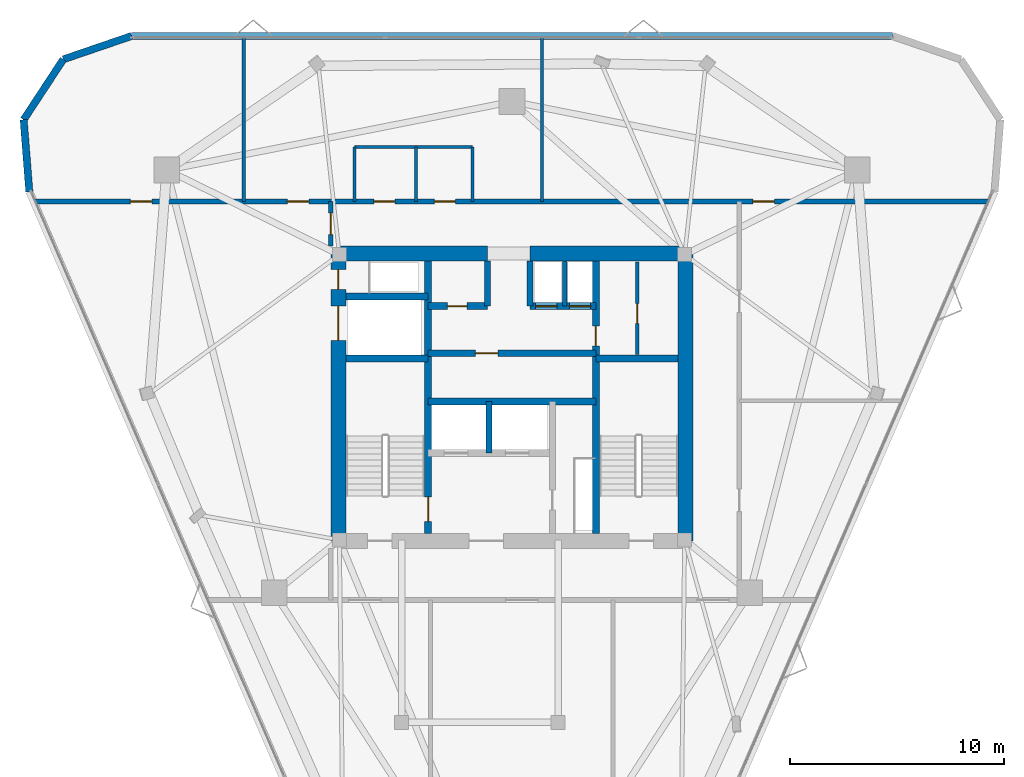
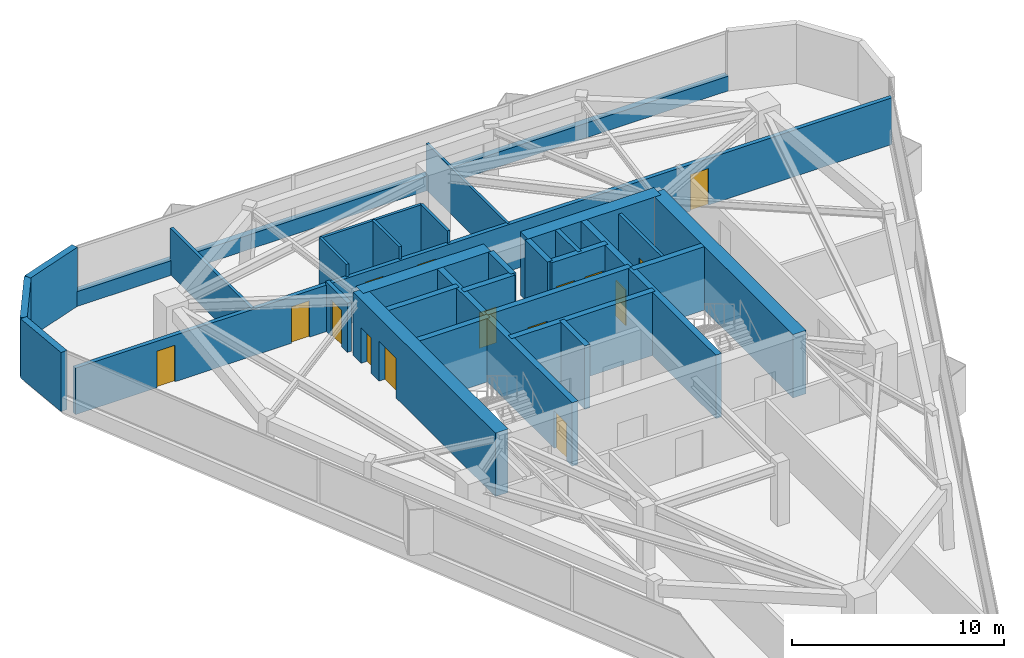
# One storey, part 9 of 11: 30 walls, 15 doors, 15 openings.
"""IFC4 building model written with IfcOpenShell, lengths in metres."""

from ifc_helpers import new_model, si_unit, direction, frame, frame_2d, origin, place, context, subcontext, project, spatial, rectangle, extrude, material, layer, layer_set, type_object, element, fill, save


model = new_model("IFC4")

# Units and contexts
model_context = context("Model", 3, precision=1e-05, world=origin(), true_north=direction((0.0, 1.0)))
body_context = subcontext(model_context, "Body", "Model", "MODEL_VIEW")
ifc_project = project(units=[si_unit("LENGTHUNIT", "METRE"), si_unit("AREAUNIT", "SQUARE_METRE"), si_unit("VOLUMEUNIT", "CUBIC_METRE"), si_unit("PLANEANGLEUNIT", "RADIAN"), si_unit("MASSUNIT", "GRAM", prefix="KILO")], contexts=[model_context])

# Site, building, storey
site_placement = place(None, origin())
site = spatial("IfcSite", under=ifc_project, at=site_placement, CompositionType="ELEMENT")
building_placement = place(site_placement, origin())
building = spatial("IfcBuilding", under=site, at=building_placement, Name="Talyreon Biosciences Tower", CompositionType="ELEMENT")
storey_placement = place(building_placement, frame((0.0, 0.0, 264.449951171875)))
storey = spatial("IfcBuildingStorey", under=building, at=storey_placement, Name="L70", CompositionType="ELEMENT", Elevation=264.449951171875)

# Walls
ifc_material_1 = material(Name="Concrete C50/60", Category="concrete")
ifc_layer_1 = layer(ifc_material_1, 0.219970703125)
ifc_layer_set_1 = layer_set([ifc_layer_1], Name="Concrete C50/60")
wall_type_1 = type_object("IfcWallType", Name="CoreShearWall_220", PredefinedType="SHEAR", material=ifc_layer_set_1)
wall_1_placement = place(storey_placement, frame((68.4599609375, 72.25, 0.0), z_axis=(0.0, 0.0, 1.0), x_axis=(0.0, 1.0, 0.0)))
element("IfcWall", 1, at=wall_1_placement, inside=storey, type_object=wall_type_1, Name="L70 Core Shaft Wall SWPHD", PredefinedType="SHEAR", context=body_context, shape_type="SweptSolid", body=[
    extrude(rectangle(XDim=2.10009765625, YDim=0.219970703125, at=frame_2d((1.050048828125, 0.0))), origin(), (0.0, 0.0, 1.0), 3.650146484375),
])
ifc_layer_2 = layer(ifc_material_1, 0.280029296875)
ifc_layer_set_2 = layer_set([ifc_layer_2], Name="Concrete C50/60")
wall_type_2 = type_object("IfcWallType", Name="CoreShearWall_280", PredefinedType="SHEAR", material=ifc_layer_set_2)
wall_2_placement = place(storey_placement, frame((64.919921875, 65.39990234375, 0.0), z_axis=(0.0, 0.0, 1.0), x_axis=(0.0, 1.0, 0.0)))
element("IfcWall", 2, at=wall_2_placement, inside=storey, type_object=wall_type_2, Name="L70 Core Shaft Wall SWSHD1", PredefinedType="SHEAR", context=body_context, shape_type="SweptSolid", body=[
    extrude(rectangle(XDim=2.400146484375, YDim=0.280029296875, at=frame_2d((1.2001953125, 0.0))), origin(), (0.0, 0.0, 1.0), 3.650146484375),
])
for number, where, z_axis, x_axis, name in (
    (3, (64.85009765625, 72.25, 0.0), (0.0, 0.0, 1.0), (0.0, 1.0, 0.0), "L70 Core Shaft Wall SWTHW"),
    (4, (66.85009765625, 72.25, 0.0), (0.0, 0.0, 1.0), (0.0, 1.0, 0.0), "L70 Core Shaft Wall SWTHE"),
):
    element("IfcWall", number, at=place(storey_placement, frame(where, z_axis=z_axis, x_axis=x_axis)), inside=storey, type_object=wall_type_2, Name=name, PredefinedType="SHEAR", context=body_context, shape_type="SweptSolid", body=[
        extrude(rectangle(XDim=2.10009765625, YDim=0.280029296875, at=frame_2d((1.050048828125, 0.0))), origin(), (0.0, 0.0, 1.0), 3.650146484375),
    ])

# Wall, opening, door
ifc_layer_3 = layer(ifc_material_1, 0.320068359375)
ifc_layer_set_3 = layer_set([ifc_layer_3], Name="Concrete C50/60")
wall_type_3 = type_object("IfcWallType", Name="CoreShearWall_320", PredefinedType="SHEAR", material=ifc_layer_set_3)
wall_3_placement = place(storey_placement, frame((62.090087890625, 61.64990234375, 0.0), z_axis=(0.0, 0.0, 1.0), x_axis=(0.0, 1.0, 0.0)))
wall_3 = element("IfcWall", 5, at=wall_3_placement, inside=storey, type_object=wall_type_3, Name="L70 Core Shaft Wall SW1E", PredefinedType="SHEAR", context=body_context, shape_type="SweptSolid", body=[
    extrude(rectangle(XDim=12.7001953125, YDim=0.320068359375, at=frame_2d((6.35009765625, 0.0))), origin(), (0.0, 0.0, 1.0), 3.650146484375),
])
opening_1_placement = place(wall_3_placement, frame((0.550048828125, 0.0, 0.0)))
opening_1 = element("IfcOpeningElement", 6, at=opening_1_placement, cuts=wall_3, Name="Opening DR-L70-FF-ST1", PredefinedType="OPENING", context=body_context, shape_type="SweptSolid", body=[
    extrude(rectangle(XDim=1.14990234375, YDim=2.14990234375, at=frame_2d((0.574951171875, 1.074951171875))), frame((0.0, 0.169921875, 0.0), z_axis=(0.0, -1.0, 0.0), x_axis=(1.0, 0.0, 0.0)), (0.0, 0.0, 1.0), 0.340087890625),
])
ifc_material_2 = material(Name="Painted steel fire door", Category="steel")
door_type_1 = type_object("IfcDoorType", Name="StairShaftFireDoor_1150x2150", OperationType="NOTDEFINED", PredefinedType="DOOR", material=ifc_material_2)
door_1_placement = place(opening_1_placement, origin())
door_1 = element("IfcDoor", 7, at=door_1_placement, inside=storey, type_object=door_type_1, Name="L70 Core Door DR-L70-FF-ST1", OperationType="SINGLE_SWING_LEFT", OverallHeight=2.14990234375, OverallWidth=1.14990234375, PredefinedType="DOOR", context=body_context, shape_type="SweptSolid", body=[
    extrude(rectangle(XDim=1.14990234375, YDim=2.14990234375, at=frame_2d((0.574951171875, 1.074951171875))), frame((0.0, 0.02490234375, 0.0), z_axis=(0.0, -1.0, 0.0), x_axis=(1.0, 0.0, 0.0)), (0.0, 0.0, 1.0), 0.050048828125),
])
fill(opening_1, door_1)

wall_4_placement = place(storey_placement, frame((69.909912109375, 61.64990234375, 0.0), z_axis=(0.0, 0.0, 1.0), x_axis=(0.0, 1.0, 0.0)))
wall_4 = element("IfcWall", 8, at=wall_4_placement, inside=storey, type_object=wall_type_3, Name="L70 Core Shaft Wall SW2W", PredefinedType="SHEAR", context=body_context, shape_type="SweptSolid", body=[
    extrude(rectangle(XDim=12.7001953125, YDim=0.320068359375, at=frame_2d((6.35009765625, 0.0))), origin(), (0.0, 0.0, 1.0), 3.650146484375),
])
opening_2_placement = place(wall_4_placement, frame((8.75, 0.0, 0.0)))
opening_2 = element("IfcOpeningElement", 9, at=opening_2_placement, cuts=wall_4, Name="Opening DR-L70-CSRV", PredefinedType="OPENING", context=body_context, shape_type="SweptSolid", body=[
    extrude(rectangle(XDim=0.919921875, YDim=2.050048828125, at=frame_2d((0.4599609375, 1.02490234375))), frame((0.0, 0.169921875, 0.0), z_axis=(0.0, -1.0, 0.0), x_axis=(1.0, 0.0, 0.0)), (0.0, 0.0, 1.0), 0.340087890625),
])
ifc_material_3 = material(Name="Painted steel fire-rated riser door", Category="steel")
door_type_2 = type_object("IfcDoorType", Name="RiserPlantAccessDoor_920x2050", OperationType="NOTDEFINED", PredefinedType="DOOR", material=ifc_material_3)
door_2_placement = place(opening_2_placement, origin())
door_2 = element("IfcDoor", 10, at=door_2_placement, inside=storey, type_object=door_type_2, Name="L70 Core Door DR-L70-CSRV", OperationType="SINGLE_SWING_RIGHT", OverallHeight=2.050048828125, OverallWidth=0.919921875, PredefinedType="DOOR", context=body_context, shape_type="SweptSolid", body=[
    extrude(rectangle(XDim=0.919921875, YDim=2.050048828125, at=frame_2d((0.4599609375, 1.02490234375))), frame((0.0, 0.02490234375, 0.0), z_axis=(0.0, -1.0, 0.0), x_axis=(1.0, 0.0, 0.0)), (0.0, 0.0, 1.0), 0.050048828125),
])
fill(opening_2, door_2)

# Walls
for number, where, z_axis, x_axis, name in (
    (11, (58.25, 69.81005859375, 0.0), (0.0, 0.0, 1.0), (1.0, 0.0, 0.0), "L70 Core Shaft Wall SW1N"),
    (12, (69.909912109375, 69.81005859375, 0.0), (0.0, 0.0, 1.0), (1.0, 0.0, 0.0), "L70 Core Shaft Wall SW2N"),
    (13, (58.25, 72.699951171875, 0.0), (0.0, 0.0, 1.0), (1.0, 0.0, 0.0), "L70 Core Shaft Wall SWGLN"),
):
    element("IfcWall", number, at=place(storey_placement, frame(where, z_axis=z_axis, x_axis=x_axis)), inside=storey, type_object=wall_type_3, Name=name, PredefinedType="SHEAR", context=body_context, shape_type="SweptSolid", body=[
        extrude(rectangle(XDim=3.840087890625, YDim=0.320068359375, at=frame_2d((1.919921875, 0.0))), origin(), (0.0, 0.0, 1.0), 3.650146484375),
    ])
wall_5_placement = place(storey_placement, frame((62.090087890625, 67.800048828125, 0.0), z_axis=(0.0, 0.0, 1.0), x_axis=(1.0, 0.0, 0.0)))
element("IfcWall", 14, at=wall_5_placement, inside=storey, type_object=wall_type_3, Name="L70 Core Shaft Wall SWSHM", PredefinedType="SHEAR", context=body_context, shape_type="SweptSolid", body=[
    extrude(rectangle(XDim=7.81982421875, YDim=0.320068359375, at=frame_2d((3.909912109375, 0.0))), origin(), (0.0, 0.0, 1.0), 3.650146484375),
])

# Wall, opening, door
wall_6_placement = place(storey_placement, frame((62.090087890625, 70.050048828125, 0.0), z_axis=(0.0, 0.0, 1.0), x_axis=(1.0, 0.0, 0.0)))
wall_6 = element("IfcWall", 15, at=wall_6_placement, inside=storey, type_object=wall_type_3, Name="L70 Core Shaft Wall SWSPN", PredefinedType="SHEAR", context=body_context, shape_type="SweptSolid", body=[
    extrude(rectangle(XDim=7.81982421875, YDim=0.320068359375, at=frame_2d((3.909912109375, 0.0))), origin(), (0.0, 0.0, 1.0), 3.650146484375),
])
opening_3_placement = place(wall_6_placement, frame((2.199951171875, 0.0, 0.0)))
opening_3 = element("IfcOpeningElement", 16, at=opening_3_placement, cuts=wall_6, Name="Opening DR-L70-PLPMFREE", PredefinedType="OPENING", context=body_context, shape_type="SweptSolid", body=[
    extrude(rectangle(XDim=1.050048828125, YDim=2.14990234375, at=frame_2d((0.52490234375, 1.074951171875))), frame((0.0, 0.169921875, 0.0), z_axis=(0.0, -1.0, 0.0), x_axis=(1.0, 0.0, 0.0)), (0.0, 0.0, 1.0), 0.340087890625),
])
ifc_material_4 = material(Name="Acoustic timber-core laboratory door", Category="wood")
door_type_3 = type_object("IfcDoorType", Name="DryLabSingleDoor_1050x2150", OperationType="NOTDEFINED", PredefinedType="DOOR", material=ifc_material_4)
door_3_placement = place(opening_3_placement, origin())
door_3 = element("IfcDoor", 17, at=door_3_placement, inside=storey, type_object=door_type_3, Name="L70 Core Door DR-L70-PLPMFREE", OperationType="SINGLE_SWING_LEFT", OverallHeight=2.14990234375, OverallWidth=1.050048828125, PredefinedType="DOOR", context=body_context, shape_type="SweptSolid", body=[
    extrude(rectangle(XDim=1.050048828125, YDim=2.14990234375, at=frame_2d((0.52490234375, 1.074951171875))), frame((0.0, 0.02490234375, 0.0), z_axis=(0.0, -1.0, 0.0), x_axis=(1.0, 0.0, 0.0)), (0.0, 0.0, 1.0), 0.050048828125),
])
fill(opening_3, door_3)

wall_7_placement = place(storey_placement, frame((62.090087890625, 72.25, 0.0), z_axis=(0.0, 0.0, 1.0), x_axis=(1.0, 0.0, 0.0)))
wall_7 = element("IfcWall", 18, at=wall_7_placement, inside=storey, type_object=wall_type_3, Name="L70 Core Shaft Wall SWNPW", PredefinedType="SHEAR", context=body_context, shape_type="SweptSolid", body=[
    extrude(rectangle(XDim=2.760009765625, YDim=0.320068359375, at=frame_2d((1.3798828125, 0.0))), origin(), (0.0, 0.0, 1.0), 3.650146484375),
])
opening_4_placement = place(wall_7_placement, frame((0.89990234375, 0.0, 0.0)))
opening_4 = element("IfcOpeningElement", 19, at=opening_4_placement, cuts=wall_7, Name="Opening DR-L70-PM2FREE", PredefinedType="OPENING", context=body_context, shape_type="SweptSolid", body=[
    extrude(rectangle(XDim=0.919921875, YDim=2.050048828125, at=frame_2d((0.4599609375, 1.02490234375))), frame((0.0, 0.169921875, 0.0), z_axis=(0.0, -1.0, 0.0), x_axis=(1.0, 0.0, 0.0)), (0.0, 0.0, 1.0), 0.340087890625),
])
door_4_placement = place(opening_4_placement, origin())
door_4 = element("IfcDoor", 20, at=door_4_placement, inside=storey, type_object=door_type_2, Name="L70 Core Door DR-L70-PM2FREE", OperationType="SINGLE_SWING_RIGHT", OverallHeight=2.050048828125, OverallWidth=0.919921875, PredefinedType="DOOR", context=body_context, shape_type="SweptSolid", body=[
    extrude(rectangle(XDim=0.919921875, YDim=2.050048828125, at=frame_2d((0.4599609375, 1.02490234375))), frame((0.0, 0.02490234375, 0.0), z_axis=(0.0, -1.0, 0.0), x_axis=(1.0, 0.0, 0.0)), (0.0, 0.0, 1.0), 0.050048828125),
])
fill(opening_4, door_4)

# Wall, openings, doors
wall_8_placement = place(storey_placement, frame((66.85009765625, 72.25, 0.0), z_axis=(0.0, 0.0, 1.0), x_axis=(1.0, 0.0, 0.0)))
wall_8 = element("IfcWall", 21, at=wall_8_placement, inside=storey, type_object=wall_type_3, Name="L70 Core Shaft Wall SWNPE", PredefinedType="SHEAR", context=body_context, shape_type="SweptSolid", body=[
    extrude(rectangle(XDim=3.059814453125, YDim=0.320068359375, at=frame_2d((1.52978515625, 0.0))), origin(), (0.0, 0.0, 1.0), 3.650146484375),
])
opening_5_placement = place(wall_8_placement, frame((0.25, 0.0, 0.0)))
opening_5 = element("IfcOpeningElement", 22, at=opening_5_placement, cuts=wall_8, Name="Opening LD-L70-PH1", PredefinedType="OPENING", context=body_context, shape_type="SweptSolid", body=[
    extrude(rectangle(XDim=1.0, YDim=2.199951171875, at=frame_2d((0.5, 1.10009765625))), frame((0.0, 0.169921875, 0.0), z_axis=(0.0, -1.0, 0.0), x_axis=(1.0, 0.0, 0.0)), (0.0, 0.0, 1.0), 0.340087890625),
])
opening_6_placement = place(wall_8_placement, frame((1.820068359375, 0.0, 0.0)))
opening_6 = element("IfcOpeningElement", 23, at=opening_6_placement, cuts=wall_8, Name="Opening LD-L70-PH2", PredefinedType="OPENING", context=body_context, shape_type="SweptSolid", body=[
    extrude(rectangle(XDim=1.0, YDim=2.199951171875, at=frame_2d((0.5, 1.10009765625))), frame((0.0, 0.169921875, 0.0), z_axis=(0.0, -1.0, 0.0), x_axis=(1.0, 0.0, 0.0)), (0.0, 0.0, 1.0), 0.340087890625),
])
ifc_material_5 = material(Name="Brushed stainless-steel lift landing door", Category="steel")
door_type_4 = type_object("IfcDoorType", Name="LiftSlidingLandingDoor_1100x2200", OperationType="SLIDING_TO_LEFT", PredefinedType="DOOR", material=ifc_material_5)
door_5_placement = place(opening_5_placement, origin())
door_5 = element("IfcDoor", 24, at=door_5_placement, inside=storey, type_object=door_type_4, Name="L70 Core Door LD-L70-PH1", OperationType="SLIDING_TO_LEFT", OverallHeight=2.199951171875, OverallWidth=1.0, PredefinedType="DOOR", context=body_context, shape_type="SweptSolid", body=[
    extrude(rectangle(XDim=1.0, YDim=2.199951171875, at=frame_2d((0.5, 1.10009765625))), frame((0.0, 0.02490234375, 0.0), z_axis=(0.0, -1.0, 0.0), x_axis=(1.0, 0.0, 0.0)), (0.0, 0.0, 1.0), 0.050048828125),
])
fill(opening_5, door_5)
door_6_placement = place(opening_6_placement, origin())
door_6 = element("IfcDoor", 25, at=door_6_placement, inside=storey, type_object=door_type_4, Name="L70 Core Door LD-L70-PH2", OperationType="SLIDING_TO_LEFT", OverallHeight=2.199951171875, OverallWidth=1.0, PredefinedType="DOOR", context=body_context, shape_type="SweptSolid", body=[
    extrude(rectangle(XDim=1.0, YDim=2.199951171875, at=frame_2d((0.5, 1.10009765625))), frame((0.0, 0.02490234375, 0.0), z_axis=(0.0, -1.0, 0.0), x_axis=(1.0, 0.0, 0.0)), (0.0, 0.0, 1.0), 0.050048828125),
])
fill(opening_6, door_6)

# Walls
ifc_layer_4 = layer(ifc_material_1, 0.699951171875)
ifc_layer_set_4 = layer_set([ifc_layer_4], Name="Concrete C50/60")
wall_type_4 = type_object("IfcWallType", Name="CoreShearWall_700", PredefinedType="SHEAR", material=ifc_layer_set_4)
wall_9_placement = place(storey_placement, frame((74.10009765625, 61.300048828125, 0.0), z_axis=(0.0, 0.0, 1.0), x_axis=(0.0, 1.0, 0.0)))
element("IfcWall", 26, at=wall_9_placement, inside=storey, type_object=wall_type_4, Name="L70 Core Shear Wall E", PredefinedType="SHEAR", context=body_context, shape_type="SweptSolid", body=[
    extrude(rectangle(XDim=13.39990234375, YDim=0.699951171875, at=frame_2d((6.699951171875, 0.0))), origin(), (0.0, 0.0, 1.0), 3.650146484375),
])
wall_10_placement = place(storey_placement, frame((74.10009765625, 74.699951171875, 0.0), z_axis=(0.0, 0.0, 1.0), x_axis=(-1.0, 0.0, 0.0)))
element("IfcWall", 27, at=wall_10_placement, inside=storey, type_object=wall_type_4, Name="L70 Core Shear Wall NE", PredefinedType="SHEAR", context=body_context, shape_type="SweptSolid", body=[
    extrude(rectangle(XDim=7.25, YDim=0.699951171875, at=frame_2d((3.625, 0.0))), origin(), (0.0, 0.0, 1.0), 3.650146484375),
])
wall_11_placement = place(storey_placement, frame((64.85009765625, 74.699951171875, 0.0), z_axis=(0.0, 0.0, 1.0), x_axis=(-1.0, 0.0, 0.0)))
element("IfcWall", 28, at=wall_11_placement, inside=storey, type_object=wall_type_4, Name="L70 Core Shear Wall NW", PredefinedType="SHEAR", context=body_context, shape_type="SweptSolid", body=[
    extrude(rectangle(XDim=6.9501953125, YDim=0.699951171875, at=frame_2d((3.47509765625, 0.0))), origin(), (0.0, 0.0, 1.0), 3.650146484375),
])

# Wall, openings, doors
wall_12_placement = place(storey_placement, frame((57.89990234375, 74.699951171875, 0.0), z_axis=(0.0, 0.0, 1.0), x_axis=(0.0, -1.0, 0.0)))
wall_12 = element("IfcWall", 29, at=wall_12_placement, inside=storey, type_object=wall_type_4, Name="L70 Core Shear Wall W", PredefinedType="SHEAR", context=body_context, shape_type="SweptSolid", body=[
    extrude(rectangle(XDim=13.39990234375, YDim=0.699951171875, at=frame_2d((6.699951171875, 0.0))), origin(), (0.0, 0.0, 1.0), 3.650146484375),
])
opening_7_placement = place(wall_12_placement, frame((0.75, 0.0, 0.0)))
opening_7 = element("IfcOpeningElement", 30, at=opening_7_placement, cuts=wall_12, Name="Opening DR-L70-RSW", PredefinedType="OPENING", context=body_context, shape_type="SweptSolid", body=[
    extrude(rectangle(XDim=0.919921875, YDim=2.050048828125, at=frame_2d((0.4599609375, 1.02490234375))), frame((0.0, 0.35986328125, 0.0), z_axis=(0.0, -1.0, 0.0), x_axis=(1.0, 0.0, 0.0)), (0.0, 0.0, 1.0), 0.719970703125),
])
opening_8_placement = place(wall_12_placement, frame((2.449951171875, 0.0, 0.0)))
opening_8 = element("IfcOpeningElement", 31, at=opening_8_placement, cuts=wall_12, Name="Opening LD-L70-GL1", PredefinedType="OPENING", context=body_context, shape_type="SweptSolid", body=[
    extrude(rectangle(XDim=1.60009765625, YDim=2.300048828125, at=frame_2d((0.800048828125, 1.14990234375))), frame((0.0, 0.35986328125, 0.0), z_axis=(0.0, -1.0, 0.0), x_axis=(1.0, 0.0, 0.0)), (0.0, 0.0, 1.0), 0.719970703125),
])
ifc_material_6 = material(Name="Heavy-duty stainless-steel goods lift door", Category="steel")
door_type_5 = type_object("IfcDoorType", Name="GoodsLiftSlidingDoor_1600x2300", OperationType="DOUBLE_DOOR_SLIDING", PredefinedType="DOOR", material=ifc_material_6)
door_7_placement = place(opening_8_placement, origin())
door_7 = element("IfcDoor", 32, at=door_7_placement, inside=storey, type_object=door_type_5, Name="L70 Core Door LD-L70-GL1", OperationType="DOUBLE_DOOR_SLIDING", OverallHeight=2.300048828125, OverallWidth=1.60009765625, PredefinedType="DOOR", context=body_context, shape_type="SweptSolid", body=[
    extrude(rectangle(XDim=1.60009765625, YDim=2.300048828125, at=frame_2d((0.800048828125, 1.14990234375))), frame((0.0, 0.02490234375, 0.0), z_axis=(0.0, -1.0, 0.0), x_axis=(1.0, 0.0, 0.0)), (0.0, 0.0, 1.0), 0.050048828125),
])
fill(opening_8, door_7)
door_8_placement = place(opening_7_placement, origin())
door_8 = element("IfcDoor", 33, at=door_8_placement, inside=storey, type_object=door_type_2, Name="L70 Core Door DR-L70-RSW", OperationType="SINGLE_SWING_LEFT", OverallHeight=2.050048828125, OverallWidth=0.919921875, PredefinedType="DOOR", context=body_context, shape_type="SweptSolid", body=[
    extrude(rectangle(XDim=0.919921875, YDim=2.050048828125, at=frame_2d((0.4599609375, 1.02490234375))), frame((0.0, 0.02490234375, 0.0), z_axis=(0.0, -1.0, 0.0), x_axis=(1.0, 0.0, 0.0)), (0.0, 0.0, 1.0), 0.050048828125),
])
fill(opening_7, door_8)

ifc_material_7 = material(Name="Gypsum fireboard acoustic stud", Category="gypsum")
ifc_layer_5 = layer(ifc_material_7, 0.219970703125)
ifc_layer_set_5 = layer_set([ifc_layer_5], Name="Gypsum fireboard acoustic stud")
wall_type_5 = type_object("IfcWallType", Name="CorridorRatedPartition_220", PredefinedType="PARTITIONING", material=ifc_layer_set_5)
wall_13_placement = place(storey_placement, frame((43.779052734375, 77.1298828125, 0.0), z_axis=(0.0, 0.0, 1.0), x_axis=(1.0, 0.0, 0.0)))
wall_13 = element("IfcWall", 34, at=wall_13_placement, inside=storey, type_object=wall_type_5, Name="L70 Interior Wall IW-L70-COR-N", PredefinedType="PARTITIONING", context=body_context, shape_type="SweptSolid", body=[
    extrude(rectangle(XDim=44.44189453125, YDim=0.219970703125, at=frame_2d((22.220947265625, 0.0))), origin(), (0.0, 0.0, 1.0), 2.679931640625),
])
opening_9_placement = place(wall_13_placement, frame((15.781005859375, 0.0, 0.0)))
opening_9 = element("IfcOpeningElement", 35, at=opening_9_placement, cuts=wall_13, Name="Opening DR-L70-WC", PredefinedType="OPENING", context=body_context, shape_type="SweptSolid", body=[
    extrude(rectangle(XDim=0.97998046875, YDim=2.10009765625, at=frame_2d((0.489990234375, 1.050048828125))), frame((0.0, 0.119873046875, 0.0), z_axis=(0.0, -1.0, 0.0), x_axis=(1.0, 0.0, 0.0)), (0.0, 0.0, 1.0), 0.239990234375),
])
opening_10_placement = place(wall_13_placement, frame((18.60595703125, 0.0, 0.0)))
opening_10 = element("IfcOpeningElement", 36, at=opening_10_placement, cuts=wall_13, Name="Opening DR-L70-AWC", PredefinedType="OPENING", context=body_context, shape_type="SweptSolid", body=[
    extrude(rectangle(XDim=0.97998046875, YDim=2.10009765625, at=frame_2d((0.489990234375, 1.050048828125))), frame((0.0, 0.119873046875, 0.0), z_axis=(0.0, -1.0, 0.0), x_axis=(1.0, 0.0, 0.0)), (0.0, 0.0, 1.0), 0.239990234375),
])
opening_11_placement = place(wall_13_placement, frame((4.427001953125, 0.0, 0.0)))
opening_11 = element("IfcOpeningElement", 37, at=opening_11_placement, cuts=wall_13, Name="Opening DR-L70-N1A", PredefinedType="OPENING", context=body_context, shape_type="SweptSolid", body=[
    extrude(rectangle(XDim=1.0, YDim=2.10009765625, at=frame_2d((0.5, 1.050048828125))), frame((0.0, 0.119873046875, 0.0), z_axis=(0.0, -1.0, 0.0), x_axis=(1.0, 0.0, 0.0)), (0.0, 0.0, 1.0), 0.239990234375),
])
opening_12_placement = place(wall_13_placement, frame((11.748046875, 0.0, 0.0)))
opening_12 = element("IfcOpeningElement", 38, at=opening_12_placement, cuts=wall_13, Name="Opening DR-L70-N2A", PredefinedType="OPENING", context=body_context, shape_type="SweptSolid", body=[
    extrude(rectangle(XDim=1.0, YDim=2.10009765625, at=frame_2d((0.5, 1.050048828125))), frame((0.0, 0.119873046875, 0.0), z_axis=(0.0, -1.0, 0.0), x_axis=(1.0, 0.0, 0.0)), (0.0, 0.0, 1.0), 0.239990234375),
])
opening_13_placement = place(wall_13_placement, frame((33.4560546875, 0.0, 0.0)))
opening_13 = element("IfcOpeningElement", 39, at=opening_13_placement, cuts=wall_13, Name="Opening DR-L70-N3A", PredefinedType="OPENING", context=body_context, shape_type="SweptSolid", body=[
    extrude(rectangle(XDim=1.0, YDim=2.10009765625, at=frame_2d((0.5, 1.050048828125))), frame((0.0, 0.119873046875, 0.0), z_axis=(0.0, -1.0, 0.0), x_axis=(1.0, 0.0, 0.0)), (0.0, 0.0, 1.0), 0.239990234375),
])
ifc_material_8 = material(Name="Laminate moisture-resistant door", Category="wood")
door_type_6 = type_object("IfcDoorType", Name="AccessibleToiletDoor_980x2100", OperationType="NOTDEFINED", PredefinedType="DOOR", material=ifc_material_8)
door_9_placement = place(opening_9_placement, origin())
door_9 = element("IfcDoor", 40, at=door_9_placement, inside=storey, type_object=door_type_6, Name="L70 Interior Door DR-L70-WC", OperationType="SINGLE_SWING_RIGHT", OverallHeight=2.10009765625, OverallWidth=0.97998046875, PredefinedType="DOOR", context=body_context, shape_type="SweptSolid", body=[
    extrude(rectangle(XDim=0.97998046875, YDim=2.10009765625, at=frame_2d((0.489990234375, 1.050048828125))), frame((0.0, 0.02490234375, 0.0), z_axis=(0.0, -1.0, 0.0), x_axis=(1.0, 0.0, 0.0)), (0.0, 0.0, 1.0), 0.050048828125),
])
fill(opening_9, door_9)
door_10_placement = place(opening_10_placement, origin())
door_10 = element("IfcDoor", 41, at=door_10_placement, inside=storey, type_object=door_type_6, Name="L70 Interior Door DR-L70-AWC", OperationType="SINGLE_SWING_RIGHT", OverallHeight=2.10009765625, OverallWidth=0.97998046875, PredefinedType="DOOR", context=body_context, shape_type="SweptSolid", body=[
    extrude(rectangle(XDim=0.97998046875, YDim=2.10009765625, at=frame_2d((0.489990234375, 1.050048828125))), frame((0.0, 0.02490234375, 0.0), z_axis=(0.0, -1.0, 0.0), x_axis=(1.0, 0.0, 0.0)), (0.0, 0.0, 1.0), 0.050048828125),
])
fill(opening_10, door_10)
ifc_material_9 = material(Name="Acoustic oak veneer office door", Category="wood")
door_type_7 = type_object("IfcDoorType", Name="WriteupOfficeDoor_1000x2100", OperationType="NOTDEFINED", PredefinedType="DOOR", material=ifc_material_9)
door_11_placement = place(opening_11_placement, origin())
door_11 = element("IfcDoor", 42, at=door_11_placement, inside=storey, type_object=door_type_7, Name="L70 Interior Door DR-L70-N1A", OperationType="SINGLE_SWING_RIGHT", OverallHeight=2.10009765625, OverallWidth=1.0, PredefinedType="DOOR", context=body_context, shape_type="SweptSolid", body=[
    extrude(rectangle(XDim=1.0, YDim=2.10009765625, at=frame_2d((0.5, 1.050048828125))), frame((0.0, 0.02490234375, 0.0), z_axis=(0.0, -1.0, 0.0), x_axis=(1.0, 0.0, 0.0)), (0.0, 0.0, 1.0), 0.050048828125),
])
fill(opening_11, door_11)
door_12_placement = place(opening_12_placement, origin())
door_12 = element("IfcDoor", 43, at=door_12_placement, inside=storey, type_object=door_type_7, Name="L70 Interior Door DR-L70-N2A", OperationType="SINGLE_SWING_RIGHT", OverallHeight=2.10009765625, OverallWidth=1.0, PredefinedType="DOOR", context=body_context, shape_type="SweptSolid", body=[
    extrude(rectangle(XDim=1.0, YDim=2.10009765625, at=frame_2d((0.5, 1.050048828125))), frame((0.0, 0.02490234375, 0.0), z_axis=(0.0, -1.0, 0.0), x_axis=(1.0, 0.0, 0.0)), (0.0, 0.0, 1.0), 0.050048828125),
])
fill(opening_12, door_12)
door_13_placement = place(opening_13_placement, origin())
door_13 = element("IfcDoor", 44, at=door_13_placement, inside=storey, type_object=door_type_7, Name="L70 Interior Door DR-L70-N3A", OperationType="SINGLE_SWING_RIGHT", OverallHeight=2.10009765625, OverallWidth=1.0, PredefinedType="DOOR", context=body_context, shape_type="SweptSolid", body=[
    extrude(rectangle(XDim=1.0, YDim=2.10009765625, at=frame_2d((0.5, 1.050048828125))), frame((0.0, 0.02490234375, 0.0), z_axis=(0.0, -1.0, 0.0), x_axis=(1.0, 0.0, 0.0)), (0.0, 0.0, 1.0), 0.050048828125),
])
fill(opening_13, door_13)

# Wall, opening, door
wall_14_placement = place(storey_placement, frame((57.550048828125, 75.050048828125, 0.0), z_axis=(0.0, 0.0, 1.0), x_axis=(0.0, 1.0, 0.0)))
wall_14 = element("IfcWall", 45, at=wall_14_placement, inside=storey, type_object=wall_type_5, Name="L70 Interior Wall IW-L70-WCAP-N", PredefinedType="PARTITIONING", context=body_context, shape_type="SweptSolid", body=[
    extrude(rectangle(XDim=2.079833984375, YDim=0.219970703125, at=frame_2d((1.0400390625, 0.0))), origin(), (0.0, 0.0, 1.0), 2.830078125),
])
opening_14_placement = place(wall_14_placement, frame((0.5400390625, 0.0, 0.0)))
opening_14 = element("IfcOpeningElement", 46, at=opening_14_placement, cuts=wall_14, Name="Opening DR-L70-W1A", PredefinedType="OPENING", context=body_context, shape_type="SweptSolid", body=[
    extrude(rectangle(XDim=1.0, YDim=2.10009765625, at=frame_2d((0.5, 1.050048828125))), frame((0.0, 0.119873046875, 0.0), z_axis=(0.0, -1.0, 0.0), x_axis=(1.0, 0.0, 0.0)), (0.0, 0.0, 1.0), 0.239990234375),
])
door_14_placement = place(opening_14_placement, origin())
door_14 = element("IfcDoor", 47, at=door_14_placement, inside=storey, type_object=door_type_7, Name="L70 Interior Door DR-L70-W1A", OperationType="SINGLE_SWING_LEFT", OverallHeight=2.10009765625, OverallWidth=1.0, PredefinedType="DOOR", context=body_context, shape_type="SweptSolid", body=[
    extrude(rectangle(XDim=1.0, YDim=2.10009765625, at=frame_2d((0.5, 1.050048828125))), frame((0.0, 0.02490234375, 0.0), z_axis=(0.0, -1.0, 0.0), x_axis=(1.0, 0.0, 0.0)), (0.0, 0.0, 1.0), 0.050048828125),
])
fill(opening_14, door_14)

ifc_material_10 = material(Name="Gypsum acoustic stud partition", Category="gypsum")
ifc_layer_6 = layer(ifc_material_10, 0.159912109375)
ifc_layer_set_6 = layer_set([ifc_layer_6], Name="Gypsum acoustic stud partition")
wall_type_6 = type_object("IfcWallType", Name="LabSeparationPartition_160", PredefinedType="PARTITIONING", material=ifc_layer_set_6)
wall_15_placement = place(storey_placement, frame((71.85009765625, 70.0, 0.0), z_axis=(0.0, 0.0, 1.0), x_axis=(0.0, 1.0, 0.0)))
wall_15 = element("IfcWall", 48, at=wall_15_placement, inside=storey, type_object=wall_type_6, Name="L70 Interior Wall IW-L70-CSRV-V", PredefinedType="PARTITIONING", context=body_context, shape_type="SweptSolid", body=[
    extrude(rectangle(XDim=4.300048828125, YDim=0.159912109375, at=frame_2d((2.14990234375, 0.0))), origin(), (0.0, 0.0, 1.0), 3.400146484375),
])
opening_15_placement = place(wall_15_placement, frame((1.449951171875, 0.0, 0.0)))
opening_15 = element("IfcOpeningElement", 49, at=opening_15_placement, cuts=wall_15, Name="Opening DR-L70-CSRV-I", PredefinedType="OPENING", context=body_context, shape_type="SweptSolid", body=[
    extrude(rectangle(XDim=0.919921875, YDim=2.050048828125, at=frame_2d((0.4599609375, 1.02490234375))), frame((0.0, 0.08984375, 0.0), z_axis=(0.0, -1.0, 0.0), x_axis=(1.0, 0.0, 0.0)), (0.0, 0.0, 1.0), 0.179931640625),
])
door_15_placement = place(opening_15_placement, origin())
door_15 = element("IfcDoor", 50, at=door_15_placement, inside=storey, type_object=door_type_2, Name="L70 Interior Door DR-L70-CSRV-I", OperationType="SINGLE_SWING_RIGHT", OverallHeight=2.050048828125, OverallWidth=0.919921875, PredefinedType="DOOR", context=body_context, shape_type="SweptSolid", body=[
    extrude(rectangle(XDim=0.919921875, YDim=2.050048828125, at=frame_2d((0.4599609375, 1.02490234375))), frame((0.0, 0.02490234375, 0.0), z_axis=(0.0, -1.0, 0.0), x_axis=(1.0, 0.0, 0.0)), (0.0, 0.0, 1.0), 0.050048828125),
])
fill(opening_15, door_15)

# Walls
wall_16_placement = place(storey_placement, frame((53.48388671875, 77.1298828125, 0.0), z_axis=(0.0, 0.0, 1.0), x_axis=(0.0, 1.0, 0.0)))
element("IfcWall", 51, at=wall_16_placement, inside=storey, type_object=wall_type_6, Name="L70 Interior Wall IW-L70-NDIV1", PredefinedType="PARTITIONING", context=body_context, shape_type="SweptSolid", body=[
    extrude(rectangle(XDim=7.63623046875, YDim=0.159912109375, at=frame_2d((3.818115234375, 0.0))), origin(), (0.0, 0.0, 1.0), 2.679931640625),
])
ifc_layer_7 = layer(ifc_material_10, 0.1298828125)
ifc_layer_set_7 = layer_set([ifc_layer_7], Name="Gypsum acoustic stud partition")
wall_type_7 = type_object("IfcWallType", Name="OfficeWriteupPartition_130", PredefinedType="PARTITIONING", material=ifc_layer_set_7)
wall_17_placement = place(storey_placement, frame((67.39990234375, 77.1298828125, 0.0), z_axis=(0.0, 0.0, 1.0), x_axis=(0.0, 1.0, 0.0)))
element("IfcWall", 52, at=wall_17_placement, inside=storey, type_object=wall_type_7, Name="L70 Interior Wall IW-L70-NDIV2", PredefinedType="PARTITIONING", context=body_context, shape_type="SweptSolid", body=[
    extrude(rectangle(XDim=7.63623046875, YDim=0.1298828125, at=frame_2d((3.818115234375, 0.0))), origin(), (0.0, 0.0, 1.0), 2.679931640625),
])
ifc_material_11 = material(Name="Precast concrete C45/55", Category="concrete")
ifc_layer_8 = layer(ifc_material_11, 0.340087890625)
ifc_layer_set_8 = layer_set([ifc_layer_8], Name="Precast concrete C45/55")
wall_type_8 = type_object("IfcWallType", Name="PrecastConcreteSpandrelWall_340", PredefinedType="STANDARD", material=ifc_layer_set_8)
for number, where, z_axis, x_axis, name in (
    (53, (43.489501953125, 77.58544921875, 0.0), (0.0, 0.0, 1.0), (-0.078558440607, 0.996909510141, 0.0), "L70 Rounded-Corner Concrete Pier 01"),
    (54, (43.224853515625, 80.94384765625, 0.0), (0.0, 0.0, 1.0), (0.548950833431, 0.835854641953, 0.0), "L70 Rounded-Corner Concrete Pier 02"),
    (55, (45.07421875, 83.759765625, 0.0), (0.0, 0.0, 1.0), (0.946079263446, 0.323935220805, 0.0), "L70 Rounded-Corner Concrete Pier 03"),
):
    element("IfcWall", number, at=place(storey_placement, frame(where, z_axis=z_axis, x_axis=x_axis)), inside=storey, type_object=wall_type_8, Name=name, PredefinedType="STANDARD", context=body_context, shape_type="SweptSolid", body=[
        extrude(rectangle(XDim=3.368896484375, YDim=0.340087890625, at=frame_2d((1.6845703125, 0.0))), origin(), (0.0, 0.0, 1.0), 3.400146484375),
    ])
wall_18_placement = place(storey_placement, frame((48.261474609375, 84.85107421875, 0.0), z_axis=(0.0, 0.0, 1.0), x_axis=(1.0, 0.0, 0.0)))
element("IfcWall", 56, at=wall_18_placement, inside=storey, type_object=wall_type_8, Name="L70 Expressed Concrete Sill Wall 04", PredefinedType="STANDARD", context=body_context, shape_type="SweptSolid", body=[
    extrude(rectangle(XDim=35.47705078125, YDim=0.340087890625, at=frame_2d((17.738525390625, 0.0))), origin(), (0.0, 0.0, 1.0), 0.85009765625),
])
ifc_material_12 = material(Name="Moisture-resistant cement-board stud", Category="gypsum")
ifc_layer_9 = layer(ifc_material_12, 0.14501953125)
ifc_layer_set_9 = layer_set([ifc_layer_9], Name="Moisture-resistant cement-board stud")
wall_type_9 = type_object("IfcWallType", Name="WetRoomPartition_145", PredefinedType="PARTITIONING", material=ifc_layer_set_9)
for number, where, z_axis, x_axis, name in (
    (57, (58.64990234375, 77.1298828125, 0.0), (0.0, 0.0, 1.0), (0.0, 1.0, 0.0), "L70 Interior Wall IW-L70-WCL"),
    (58, (61.52490234375, 77.1298828125, 0.0), (0.0, 0.0, 1.0), (0.0, 1.0, 0.0), "L70 Interior Wall IW-L70-WCM"),
    (59, (64.14990234375, 77.1298828125, 0.0), (0.0, 0.0, 1.0), (0.0, 1.0, 0.0), "L70 Interior Wall IW-L70-WCR"),
):
    element("IfcWall", number, at=place(storey_placement, frame(where, z_axis=z_axis, x_axis=x_axis)), inside=storey, type_object=wall_type_9, Name=name, PredefinedType="PARTITIONING", context=body_context, shape_type="SweptSolid", body=[
        extrude(rectangle(XDim=2.550048828125, YDim=0.14501953125, at=frame_2d((1.27490234375, 0.0))), origin(), (0.0, 0.0, 1.0), 3.400146484375),
    ])
wall_19_placement = place(storey_placement, frame((58.64990234375, 79.679931640625, 0.0), z_axis=(0.0, 0.0, 1.0), x_axis=(1.0, 0.0, 0.0)))
element("IfcWall", 60, at=wall_19_placement, inside=storey, type_object=wall_type_9, Name="L70 Interior Wall IW-L70-WCT", PredefinedType="PARTITIONING", context=body_context, shape_type="SweptSolid", body=[
    extrude(rectangle(XDim=5.5, YDim=0.14501953125, at=frame_2d((2.75, 0.0))), origin(), (0.0, 0.0, 1.0), 3.400146484375),
])

save(model, "model.ifc")
